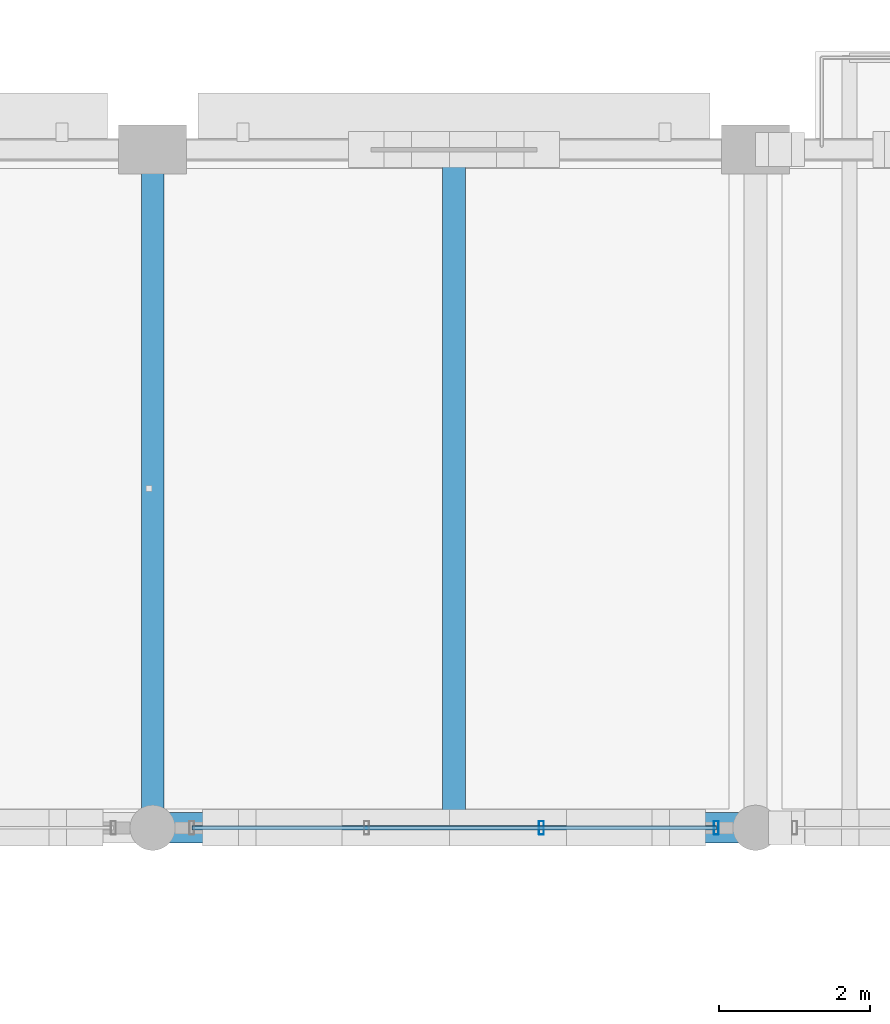
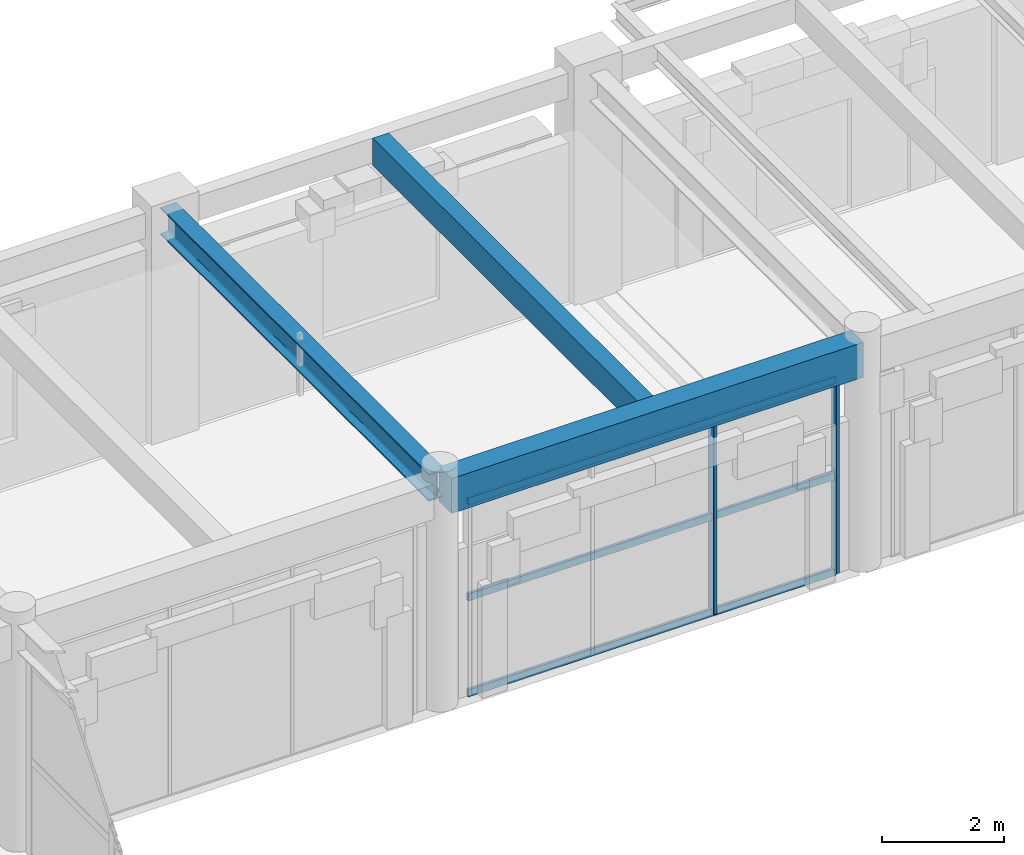
# One storey, part 51 of 144: 5 members, 3 beams, 1 element without a shape of its own.
"""IFC4 building model written with IfcOpenShell, lengths in metres."""

import ifcopenshell
import ifcopenshell.guid

model = None  # the IFC model being written
_history = None  # IfcOwnerHistory: only IFC2X3 demands one
_inside = {}  # id of a spatial element -> (the spatial element, [elements in it])
_under = {}  # id of a project, library or spatial element -> (it, [spatial elements below it])
_declared = {}  # id of a project -> (the project, [libraries it declares])
_typed = {}  # id of a type object -> (the type object, [elements of that type])
_made_of = {}  # id of a material, layer set ... -> (it, [elements and type objects made of it])


def new_model(schema):
    """Start an empty IFC model of exactly this schema.

    Asked for "IFC4X3", IfcOpenShell would pick the latest addendum, in which some entities
    have other attributes; the version numbers below select the first issue.
    IFC2X3 requires an IfcOwnerHistory on every rooted entity: one is made here for all.
    """
    global model, _history
    if schema == "IFC4X3":
        model = ifcopenshell.file(schema_version=(4, 3, 0, 0))
    else:
        model = ifcopenshell.file(schema=schema)
    _inside.clear()
    _under.clear()
    _declared.clear()
    _typed.clear()
    _made_of.clear()
    _history = None
    if model.schema == "IFC2X3":
        org = make("IfcOrganization", Name="unknown")
        user = make(
            "IfcPersonAndOrganization",
            ThePerson=make("IfcPerson", FamilyName="unknown"),
            TheOrganization=org,
        )
        app = make(
            "IfcApplication",
            ApplicationDeveloper=org,
            Version="unknown",
            ApplicationFullName="unknown",
            ApplicationIdentifier="unknown",
        )
        _history = make(
            "IfcOwnerHistory",
            OwningUser=user,
            OwningApplication=app,
            ChangeAction="ADDED",
            CreationDate=0,
        )
    return model


def make(cls, **values):
    """One entity of the class cls with the attributes given. An attribute that is None is left unset."""
    return model.create_entity(
        cls, **{name: value for name, value in values.items() if value is not None}
    )


def rooted(cls, **values):
    """An entity with a GlobalId (a new one), such as an element, a storey or a relation."""
    return make(cls, GlobalId=ifcopenshell.guid.new(), OwnerHistory=_history, **values)


def si_unit(unit_type, name, prefix=None):
    """IfcSIUnit, for example si_unit("LENGTHUNIT", "METRE", prefix="MILLI")."""
    return make("IfcSIUnit", UnitType=unit_type, Prefix=prefix, Name=name)


def assignment(units):
    """IfcUnitAssignment: the units of a project."""
    return None if units is None else make("IfcUnitAssignment", Units=units)


def point(xyz):
    """IfcCartesianPoint."""
    return None if xyz is None else make("IfcCartesianPoint", Coordinates=xyz)


def direction(xyz):
    """IfcDirection."""
    return None if xyz is None else make("IfcDirection", DirectionRatios=xyz)


def frame(location, z_axis=None, x_axis=None):
    """IfcAxis2Placement3D, a coordinate frame: its origin and axes. An axis left out is left unset."""
    return make(
        "IfcAxis2Placement3D",
        Location=point(location),
        Axis=direction(z_axis),
        RefDirection=direction(x_axis),
    )


def frame_2d(location, x_axis=None):
    """IfcAxis2Placement2D, a coordinate frame in the plane: its origin and x axis."""
    return make(
        "IfcAxis2Placement2D", Location=point(location), RefDirection=direction(x_axis)
    )


def origin():
    """The frame at (0, 0, 0) with its axes left unset."""
    return frame((0.0, 0.0, 0.0))


def origin_2d():
    """The frame at (0, 0) in the plane with its x axis left unset."""
    return frame_2d((0.0, 0.0))


def place(relative_to, where):
    """IfcLocalPlacement: puts the frame where relative to a parent placement (None: the world)."""
    return make(
        "IfcLocalPlacement", PlacementRelTo=relative_to, RelativePlacement=where
    )


def context(
    kind, dimensions, precision=None, world=None, true_north=None, identifier=None
):
    """IfcGeometricRepresentationContext, for example the 3D "Model" context."""
    return make(
        "IfcGeometricRepresentationContext",
        ContextIdentifier=identifier,
        ContextType=kind,
        CoordinateSpaceDimension=dimensions,
        Precision=precision,
        WorldCoordinateSystem=world,
        TrueNorth=true_north,
    )


def subcontext(parent, identifier, kind, view, scale=None):
    """IfcGeometricRepresentationSubContext, for example "Body" below "Model"."""
    return make(
        "IfcGeometricRepresentationSubContext",
        ContextIdentifier=identifier,
        ContextType=kind,
        ParentContext=parent,
        TargetScale=scale,
        TargetView=view,
    )


def project(units=None, contexts=None):
    """IfcProject with its units and contexts."""
    return rooted(
        "IfcProject",
        Name="project",
        RepresentationContexts=contexts,
        UnitsInContext=assignment(units),
    )


def spatial(cls, under=None, at=None, **own):
    """A site, building, storey or space (cls), placed at a placement, below another one or the project."""
    s = rooted(cls, ObjectPlacement=at, **own)
    if under is not None:
        _under.setdefault(under.id(), (under, []))[1].append(s)
    return s


def profile(cls, at=None, kind="AREA", **sizes):
    """A parametric profile (cls). Its sizes go by their IFC names, for example OverallWidth=200.0."""
    return make(cls, ProfileType=kind, Position=at, **sizes)


def rectangle(**sizes):
    """IfcRectangleProfileDef."""
    return profile("IfcRectangleProfileDef", **sizes)


def hollow_rectangle(**sizes):
    """IfcRectangleHollowProfileDef."""
    return profile("IfcRectangleHollowProfileDef", **sizes)


def i_section(**sizes):
    """IfcIShapeProfileDef."""
    return profile("IfcIShapeProfileDef", **sizes)


def extrude(swept, where, along, depth):
    """IfcExtrudedAreaSolid: the profile swept, set in the frame where, extruded along a direction by depth."""
    return make(
        "IfcExtrudedAreaSolid",
        SweptArea=swept,
        Position=where,
        ExtrudedDirection=direction(along),
        Depth=depth,
    )


def shape(context_of_items, identifier, shape_type, items):
    """IfcShapeRepresentation: the items that make up one representation, for example the "Body"."""
    return make(
        "IfcShapeRepresentation",
        ContextOfItems=context_of_items,
        RepresentationIdentifier=identifier,
        RepresentationType=shape_type,
        Items=items,
    )


def material(Name=None, Category=None):
    """IfcMaterial."""
    return make("IfcMaterial", Name=Name, Category=Category)


def material_profile(
    of_material, cross_section, Name=None, Category=None, Priority=None
):
    """IfcMaterialProfile: a cross section and its material."""
    return make(
        "IfcMaterialProfile",
        Name=Name,
        Material=of_material,
        Profile=cross_section,
        Priority=Priority,
        Category=Category,
    )


def profile_set(profiles, Name=None, composite=None):
    """IfcMaterialProfileSet."""
    return make(
        "IfcMaterialProfileSet",
        Name=Name,
        MaterialProfiles=profiles,
        CompositeProfile=composite,
    )


def made_of(thing, what):
    """Note that an element or type object is made of a material, layer set ...; save() writes the relation."""
    if what is not None:
        _made_of.setdefault(what.id(), (what, []))[1].append(thing)
    return thing


def type_object(cls, material=None, **own):
    """A type object (cls), such as IfcWallType, which elements share."""
    return made_of(rooted(cls, **own), material)


def element(
    cls,
    number,
    at=None,
    inside=None,
    cuts=None,
    type_object=None,
    material=None,
    context=None,
    identifier="Body",
    shape_type=None,
    held_by="IfcProductDefinitionShape",
    body=None,
    shapes=None,
    **own,
):
    """One element of the class cls, such as IfcWall. Its Tag is "e" and its number.

    at: its placement. inside: the storey or other place that contains it. cuts: it is an
    opening in that element (IfcRelVoidsElement). A single representation is given by context,
    identifier, shape_type and body (its items); several are given by shapes. held_by: the class
    of the entity that holds the representations. save() writes the other relations.
    """
    e = rooted(cls, Tag="e%d" % number, ObjectPlacement=at, **own)
    if body is not None:
        shapes = [shape(context, identifier, shape_type, body)]
    if shapes is not None:
        e.Representation = make(held_by, Representations=shapes)
    if inside is not None:
        _inside.setdefault(inside.id(), (inside, []))[1].append(e)
    if cuts is not None:
        rooted(
            "IfcRelVoidsElement", RelatingBuildingElement=cuts, RelatedOpeningElement=e
        )
    if type_object is not None:
        _typed.setdefault(type_object.id(), (type_object, []))[1].append(e)
    return made_of(e, material)


def aggregate(whole, parts):
    """IfcRelAggregates: a whole, such as a stair, and the parts it consists of."""
    return rooted("IfcRelAggregates", RelatingObject=whole, RelatedObjects=parts)


def save(model, path):
    """Write the relations noted so far, then the file.

    IfcRelAggregates (storeys below a building ...), IfcRelContainedInSpatialStructure (elements
    in a storey), IfcRelDefinesByType, IfcRelAssociatesMaterial and IfcRelDeclares: one each for
    every whole, place, type object, material and project.
    """
    for whole, parts in _under.values():
        aggregate(whole, parts)
    for where, things in _inside.values():
        rooted(
            "IfcRelContainedInSpatialStructure",
            RelatedElements=things,
            RelatingStructure=where,
        )
    for kind, things in _typed.values():
        rooted("IfcRelDefinesByType", RelatedObjects=things, RelatingType=kind)
    for what, things in _made_of.values():
        rooted("IfcRelAssociatesMaterial", RelatedObjects=things, RelatingMaterial=what)
    for by, libraries in _declared.values():
        rooted("IfcRelDeclares", RelatingContext=by, RelatedDefinitions=libraries)
    model.write(path)


model = new_model("IFC4")

# Units and contexts
model_context = context("Model", 3, precision=1e-05, world=origin(), true_north=direction((0.0, 1.0)))
body_context = subcontext(model_context, "Body", "Model", "MODEL_VIEW")
ifc_project = project(units=[si_unit("LENGTHUNIT", "METRE"), si_unit("AREAUNIT", "SQUARE_METRE"), si_unit("VOLUMEUNIT", "CUBIC_METRE"), si_unit("PLANEANGLEUNIT", "RADIAN"), si_unit("MASSUNIT", "GRAM", prefix="KILO")], contexts=[model_context])

# Site, building, storey
site_placement = place(None, origin())
site = spatial("IfcSite", under=ifc_project, at=site_placement, CompositionType="ELEMENT")
building_placement = place(site_placement, origin())
building = spatial("IfcBuilding", under=site, at=building_placement, Name="Varnabhumi Central Station", CompositionType="ELEMENT")
storey_placement = place(building_placement, frame((0.0, 0.0, 4.800048828125)))
storey = spatial("IfcBuildingStorey", under=building, at=storey_placement, Name="L01", CompositionType="ELEMENT", Elevation=4.800048828125)

# Beams
ifc_material_1 = material(Name="Concrete M40", Category="concrete")
ifc_material_profile_1 = material_profile(ifc_material_1, rectangle(XDim=0.300048828125, YDim=0.550048828125, at=origin_2d()), Name="Concrete M40", Category="concrete")
ifc_profile_set_1 = profile_set([ifc_material_profile_1], Name="Concrete M40")
beam_type_1 = type_object("IfcBeamType", Name="BM-RC-300x550", PredefinedType="JOIST", material=ifc_profile_set_1)
beam_1_placement = place(storey_placement, frame((60.0, 107.199951171875, 4.27490234375), z_axis=(0.0, 1.0, 0.0), x_axis=(-1.0, 0.0, 0.0)))
element("IfcBeam", 1, at=beam_1_placement, inside=storey, type_object=beam_type_1, Name="Secondary Joist L01-8/9:N-P", PredefinedType="JOIST", context=body_context, shape_type="SweptSolid", body=[
    extrude(rectangle(XDim=0.300048828125, YDim=0.550048828125, at=origin_2d()), origin(), (0.0, 0.0, 1.0), 8.675048828125),
])
ifc_material_profile_2 = material_profile(ifc_material_1, rectangle(XDim=0.39990234375, YDim=0.699951171875, at=origin_2d()), Name="Concrete M40", Category="concrete")
ifc_profile_set_2 = profile_set([ifc_material_profile_2], Name="Concrete M40")
beam_type_2 = type_object("IfcBeamType", Name="BM-RC-400x700", PredefinedType="BEAM", material=ifc_profile_set_2)
beam_2_placement = place(storey_placement, frame((56.10009765625, 107.0, 4.199951171875), z_axis=(1.0, 0.0, 0.0), x_axis=(0.0, 1.0, 0.0)))
element("IfcBeam", 2, at=beam_2_placement, inside=storey, type_object=beam_type_2, Name="Beam L01-N:8-9", PredefinedType="BEAM", context=body_context, shape_type="SweptSolid", body=[
    extrude(rectangle(XDim=0.39990234375, YDim=0.699951171875, at=origin_2d()), origin(), (0.0, 0.0, 1.0), 7.7998046875),
])
ifc_material_2 = material(Name="Structural steel E350", Category="steel")
ifc_material_profile_3 = material_profile(ifc_material_2, i_section(OverallWidth=0.300048828125, OverallDepth=0.550048828125, WebThickness=0.014892578125, FlangeThickness=0.029052734375, FilletRadius=0.027099609375, at=origin_2d()), Name="Structural steel E350", Category="steel")
ifc_profile_set_3 = profile_set([ifc_material_profile_3], Name="Structural steel E350")
beam_type_3 = type_object("IfcBeamType", Name="BM-STL-WPB550", PredefinedType="BEAM", material=ifc_profile_set_3)
beam_3_placement = place(storey_placement, frame((56.0, 107.10009765625, 4.27490234375), z_axis=(0.0, 1.0, 0.0), x_axis=(-1.0, 0.0, 0.0)))
element("IfcBeam", 3, at=beam_3_placement, inside=storey, type_object=beam_type_3, Name="Beam L01-8:N-P", PredefinedType="BEAM", context=body_context, shape_type="SweptSolid", body=[
    extrude(i_section(OverallWidth=0.300048828125, OverallDepth=0.550048828125, WebThickness=0.014892578125, FlangeThickness=0.029052734375, FilletRadius=0.027099609375, at=origin_2d()), origin(), (0.0, 0.0, 1.0), 8.7998046875),
])

# Curtain wall, members
ifc_material_3 = material(Name="Anodised aluminium 6063-T6", Category="aluminium")
curtain_wall_type = type_object("IfcCurtainWallType", Name="CW-PATIO-LOGGIA-L1", PredefinedType="NOTDEFINED", material=ifc_material_3)
curtain_wall_placement = place(storey_placement, origin())
curtain_wall = element("IfcCurtainWall", 4, at=curtain_wall_placement, inside=storey, type_object=curtain_wall_type, Name="Curtain Wall CW-NP1N2", PredefinedType="NOTDEFINED")
ifc_material_profile_4 = material_profile(ifc_material_3, hollow_rectangle(XDim=0.06494140625, YDim=0.179931640625, WallThickness=0.00390625, InnerFilletRadius=0.001953125, OuterFilletRadius=0.006103515625, at=origin_2d()), Name="Anodised aluminium 6063-T6", Category="aluminium")
ifc_profile_set_4 = profile_set([ifc_material_profile_4], Name="Anodised aluminium 6063-T6")
member_type_1 = type_object("IfcMemberType", Name="CW-MUL-180", PredefinedType="MULLION", material=ifc_profile_set_4)
member_1_placement = place(storey_placement, frame((61.159912109375, 107.0, 0.0), z_axis=(0.0, 0.0, 1.0), x_axis=(1.0, 0.0, 0.0)))
member_1 = element("IfcMember", 5, at=member_1_placement, type_object=member_type_1, Name="Curtain Wall Mullion CW-NP1N2-M3", PredefinedType="MULLION", context=body_context, shape_type="SweptSolid", body=[
    extrude(hollow_rectangle(XDim=0.06494140625, YDim=0.179931640625, WallThickness=0.00390625, InnerFilletRadius=0.001953125, OuterFilletRadius=0.006103515625, at=origin_2d()), origin(), (0.0, 0.0, 1.0), 3.83984375),
])
member_2_placement = place(storey_placement, frame((63.47998046875, 107.0, 0.0), z_axis=(0.0, 0.0, 1.0), x_axis=(1.0, 0.0, 0.0)))
member_2 = element("IfcMember", 6, at=member_2_placement, type_object=member_type_1, Name="Curtain Wall Mullion CW-NP1N2-M4", PredefinedType="MULLION", context=body_context, shape_type="SweptSolid", body=[
    extrude(hollow_rectangle(XDim=0.06494140625, YDim=0.179931640625, WallThickness=0.00390625, InnerFilletRadius=0.001953125, OuterFilletRadius=0.006103515625, at=origin_2d()), origin(), (0.0, 0.0, 1.0), 3.83984375),
])
ifc_material_profile_5 = material_profile(ifc_material_3, hollow_rectangle(XDim=0.06005859375, YDim=0.14990234375, WallThickness=0.00390625, InnerFilletRadius=0.001953125, OuterFilletRadius=0.006103515625, at=origin_2d()), Name="Anodised aluminium 6063-T6", Category="aluminium")
ifc_profile_set_5 = profile_set([ifc_material_profile_5], Name="Anodised aluminium 6063-T6")
member_type_2 = type_object("IfcMemberType", Name="CW-TR-150", PredefinedType="USERDEFINED", material=ifc_profile_set_5)
member_3_placement = place(storey_placement, frame((56.52001953125, 107.0, 0.0), z_axis=(1.0, 0.0, 0.0), x_axis=(0.0, 1.0, 0.0)))
member_3 = element("IfcMember", 7, at=member_3_placement, type_object=member_type_2, Name="Curtain Wall Transom CW-NP1N2-T1", ObjectType="TRANSOM", PredefinedType="USERDEFINED", context=body_context, shape_type="SweptSolid", body=[
    extrude(hollow_rectangle(XDim=0.06005859375, YDim=0.14990234375, WallThickness=0.00390625, InnerFilletRadius=0.001953125, OuterFilletRadius=0.006103515625, at=origin_2d()), origin(), (0.0, 0.0, 1.0), 6.9599609375),
])
member_4_placement = place(storey_placement, frame((56.52001953125, 107.0, 1.919921875), z_axis=(1.0, 0.0, 0.0), x_axis=(0.0, 1.0, 0.0)))
member_4 = element("IfcMember", 8, at=member_4_placement, type_object=member_type_2, Name="Curtain Wall Transom CW-NP1N2-T2", ObjectType="TRANSOM", PredefinedType="USERDEFINED", context=body_context, shape_type="SweptSolid", body=[
    extrude(hollow_rectangle(XDim=0.06005859375, YDim=0.14990234375, WallThickness=0.00390625, InnerFilletRadius=0.001953125, OuterFilletRadius=0.006103515625, at=origin_2d()), origin(), (0.0, 0.0, 1.0), 6.9599609375),
])
member_5_placement = place(storey_placement, frame((56.52001953125, 107.0, 3.83984375), z_axis=(1.0, 0.0, 0.0), x_axis=(0.0, 1.0, 0.0)))
member_5 = element("IfcMember", 9, at=member_5_placement, type_object=member_type_2, Name="Curtain Wall Transom CW-NP1N2-T3", ObjectType="TRANSOM", PredefinedType="USERDEFINED", context=body_context, shape_type="SweptSolid", body=[
    extrude(hollow_rectangle(XDim=0.06005859375, YDim=0.14990234375, WallThickness=0.00390625, InnerFilletRadius=0.001953125, OuterFilletRadius=0.006103515625, at=origin_2d()), origin(), (0.0, 0.0, 1.0), 6.9599609375),
])
aggregate(curtain_wall, [member_1, member_2, member_3, member_4, member_5])

save(model, "model.ifc")
